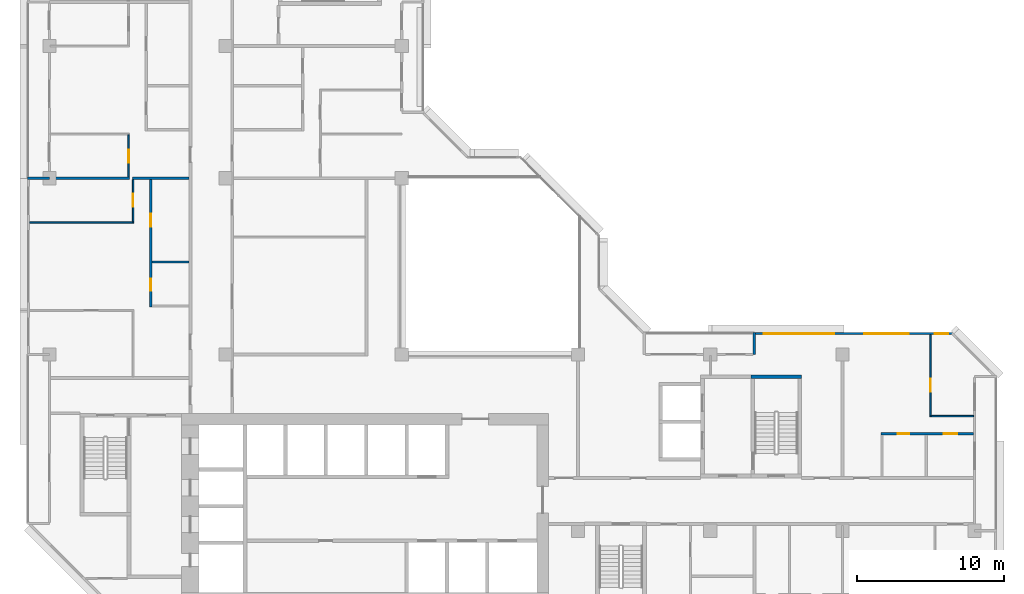
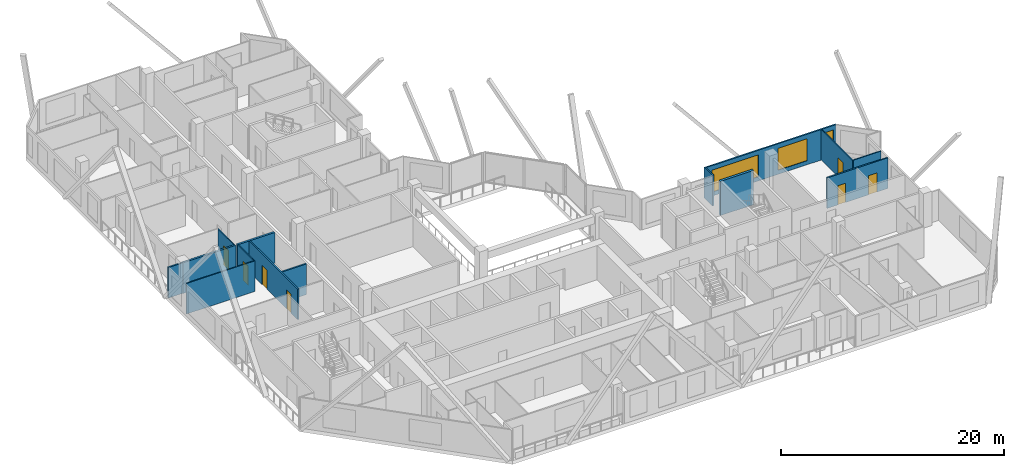
# One storey, part 8 of 15: 14 walls, 7 doors, 3 windows, 10 openings.
"""IFC4 building model written with IfcOpenShell, lengths in metres."""

import ifcopenshell
import ifcopenshell.guid

model = None  # the IFC model being written
_history = None  # IfcOwnerHistory: only IFC2X3 demands one
_inside = {}  # id of a spatial element -> (the spatial element, [elements in it])
_under = {}  # id of a project, library or spatial element -> (it, [spatial elements below it])
_declared = {}  # id of a project -> (the project, [libraries it declares])
_typed = {}  # id of a type object -> (the type object, [elements of that type])
_made_of = {}  # id of a material, layer set ... -> (it, [elements and type objects made of it])


def new_model(schema):
    """Start an empty IFC model of exactly this schema.

    Asked for "IFC4X3", IfcOpenShell would pick the latest addendum, in which some entities
    have other attributes; the version numbers below select the first issue.
    IFC2X3 requires an IfcOwnerHistory on every rooted entity: one is made here for all.
    """
    global model, _history
    if schema == "IFC4X3":
        model = ifcopenshell.file(schema_version=(4, 3, 0, 0))
    else:
        model = ifcopenshell.file(schema=schema)
    _inside.clear()
    _under.clear()
    _declared.clear()
    _typed.clear()
    _made_of.clear()
    _history = None
    if model.schema == "IFC2X3":
        org = make("IfcOrganization", Name="unknown")
        user = make(
            "IfcPersonAndOrganization",
            ThePerson=make("IfcPerson", FamilyName="unknown"),
            TheOrganization=org,
        )
        app = make(
            "IfcApplication",
            ApplicationDeveloper=org,
            Version="unknown",
            ApplicationFullName="unknown",
            ApplicationIdentifier="unknown",
        )
        _history = make(
            "IfcOwnerHistory",
            OwningUser=user,
            OwningApplication=app,
            ChangeAction="ADDED",
            CreationDate=0,
        )
    return model


def make(cls, **values):
    """One entity of the class cls with the attributes given. An attribute that is None is left unset."""
    return model.create_entity(
        cls, **{name: value for name, value in values.items() if value is not None}
    )


def rooted(cls, **values):
    """An entity with a GlobalId (a new one), such as an element, a storey or a relation."""
    return make(cls, GlobalId=ifcopenshell.guid.new(), OwnerHistory=_history, **values)


def si_unit(unit_type, name, prefix=None):
    """IfcSIUnit, for example si_unit("LENGTHUNIT", "METRE", prefix="MILLI")."""
    return make("IfcSIUnit", UnitType=unit_type, Prefix=prefix, Name=name)


def assignment(units):
    """IfcUnitAssignment: the units of a project."""
    return None if units is None else make("IfcUnitAssignment", Units=units)


def point(xyz):
    """IfcCartesianPoint."""
    return None if xyz is None else make("IfcCartesianPoint", Coordinates=xyz)


def direction(xyz):
    """IfcDirection."""
    return None if xyz is None else make("IfcDirection", DirectionRatios=xyz)


def frame(location, z_axis=None, x_axis=None):
    """IfcAxis2Placement3D, a coordinate frame: its origin and axes. An axis left out is left unset."""
    return make(
        "IfcAxis2Placement3D",
        Location=point(location),
        Axis=direction(z_axis),
        RefDirection=direction(x_axis),
    )


def frame_2d(location, x_axis=None):
    """IfcAxis2Placement2D, a coordinate frame in the plane: its origin and x axis."""
    return make(
        "IfcAxis2Placement2D", Location=point(location), RefDirection=direction(x_axis)
    )


def origin():
    """The frame at (0, 0, 0) with its axes left unset."""
    return frame((0.0, 0.0, 0.0))


def place(relative_to, where):
    """IfcLocalPlacement: puts the frame where relative to a parent placement (None: the world)."""
    return make(
        "IfcLocalPlacement", PlacementRelTo=relative_to, RelativePlacement=where
    )


def context(
    kind, dimensions, precision=None, world=None, true_north=None, identifier=None
):
    """IfcGeometricRepresentationContext, for example the 3D "Model" context."""
    return make(
        "IfcGeometricRepresentationContext",
        ContextIdentifier=identifier,
        ContextType=kind,
        CoordinateSpaceDimension=dimensions,
        Precision=precision,
        WorldCoordinateSystem=world,
        TrueNorth=true_north,
    )


def subcontext(parent, identifier, kind, view, scale=None):
    """IfcGeometricRepresentationSubContext, for example "Body" below "Model"."""
    return make(
        "IfcGeometricRepresentationSubContext",
        ContextIdentifier=identifier,
        ContextType=kind,
        ParentContext=parent,
        TargetScale=scale,
        TargetView=view,
    )


def project(units=None, contexts=None):
    """IfcProject with its units and contexts."""
    return rooted(
        "IfcProject",
        Name="project",
        RepresentationContexts=contexts,
        UnitsInContext=assignment(units),
    )


def spatial(cls, under=None, at=None, **own):
    """A site, building, storey or space (cls), placed at a placement, below another one or the project."""
    s = rooted(cls, ObjectPlacement=at, **own)
    if under is not None:
        _under.setdefault(under.id(), (under, []))[1].append(s)
    return s


def profile(cls, at=None, kind="AREA", **sizes):
    """A parametric profile (cls). Its sizes go by their IFC names, for example OverallWidth=200.0."""
    return make(cls, ProfileType=kind, Position=at, **sizes)


def rectangle(**sizes):
    """IfcRectangleProfileDef."""
    return profile("IfcRectangleProfileDef", **sizes)


def extrude(swept, where, along, depth):
    """IfcExtrudedAreaSolid: the profile swept, set in the frame where, extruded along a direction by depth."""
    return make(
        "IfcExtrudedAreaSolid",
        SweptArea=swept,
        Position=where,
        ExtrudedDirection=direction(along),
        Depth=depth,
    )


def shape(context_of_items, identifier, shape_type, items):
    """IfcShapeRepresentation: the items that make up one representation, for example the "Body"."""
    return make(
        "IfcShapeRepresentation",
        ContextOfItems=context_of_items,
        RepresentationIdentifier=identifier,
        RepresentationType=shape_type,
        Items=items,
    )


def material(Name=None, Category=None):
    """IfcMaterial."""
    return make("IfcMaterial", Name=Name, Category=Category)


def layer(
    of_material, thickness, ventilated=None, Name=None, Category=None, Priority=None
):
    """IfcMaterialLayer: one layer of a wall or slab, of a material (None: an air gap)."""
    return make(
        "IfcMaterialLayer",
        Material=of_material,
        LayerThickness=thickness,
        IsVentilated=ventilated,
        Name=Name,
        Category=Category,
        Priority=Priority,
    )


def layer_set(layers, Name=None):
    """IfcMaterialLayerSet."""
    return make("IfcMaterialLayerSet", MaterialLayers=layers, LayerSetName=Name)


def made_of(thing, what):
    """Note that an element or type object is made of a material, layer set ...; save() writes the relation."""
    if what is not None:
        _made_of.setdefault(what.id(), (what, []))[1].append(thing)
    return thing


def type_object(cls, material=None, **own):
    """A type object (cls), such as IfcWallType, which elements share."""
    return made_of(rooted(cls, **own), material)


def element(
    cls,
    number,
    at=None,
    inside=None,
    cuts=None,
    type_object=None,
    material=None,
    context=None,
    identifier="Body",
    shape_type=None,
    held_by="IfcProductDefinitionShape",
    body=None,
    shapes=None,
    **own,
):
    """One element of the class cls, such as IfcWall. Its Tag is "e" and its number.

    at: its placement. inside: the storey or other place that contains it. cuts: it is an
    opening in that element (IfcRelVoidsElement). A single representation is given by context,
    identifier, shape_type and body (its items); several are given by shapes. held_by: the class
    of the entity that holds the representations. save() writes the other relations.
    """
    e = rooted(cls, Tag="e%d" % number, ObjectPlacement=at, **own)
    if body is not None:
        shapes = [shape(context, identifier, shape_type, body)]
    if shapes is not None:
        e.Representation = make(held_by, Representations=shapes)
    if inside is not None:
        _inside.setdefault(inside.id(), (inside, []))[1].append(e)
    if cuts is not None:
        rooted(
            "IfcRelVoidsElement", RelatingBuildingElement=cuts, RelatedOpeningElement=e
        )
    if type_object is not None:
        _typed.setdefault(type_object.id(), (type_object, []))[1].append(e)
    return made_of(e, material)


def fill(opening, filler):
    """IfcRelFillsElement: the door or window that sits in an opening."""
    return rooted(
        "IfcRelFillsElement",
        RelatingOpeningElement=opening,
        RelatedBuildingElement=filler,
    )


def aggregate(whole, parts):
    """IfcRelAggregates: a whole, such as a stair, and the parts it consists of."""
    return rooted("IfcRelAggregates", RelatingObject=whole, RelatedObjects=parts)


def save(model, path):
    """Write the relations noted so far, then the file.

    IfcRelAggregates (storeys below a building ...), IfcRelContainedInSpatialStructure (elements
    in a storey), IfcRelDefinesByType, IfcRelAssociatesMaterial and IfcRelDeclares: one each for
    every whole, place, type object, material and project.
    """
    for whole, parts in _under.values():
        aggregate(whole, parts)
    for where, things in _inside.values():
        rooted(
            "IfcRelContainedInSpatialStructure",
            RelatedElements=things,
            RelatingStructure=where,
        )
    for kind, things in _typed.values():
        rooted("IfcRelDefinesByType", RelatedObjects=things, RelatingType=kind)
    for what, things in _made_of.values():
        rooted("IfcRelAssociatesMaterial", RelatedObjects=things, RelatingMaterial=what)
    for by, libraries in _declared.values():
        rooted("IfcRelDeclares", RelatingContext=by, RelatedDefinitions=libraries)
    model.write(path)


model = new_model("IFC4")

# Units and contexts
model_context = context("Model", 3, precision=1e-05, world=origin(), true_north=direction((0.0, 1.0)))
body_context = subcontext(model_context, "Body", "Model", "MODEL_VIEW")
ifc_project = project(units=[si_unit("LENGTHUNIT", "METRE"), si_unit("AREAUNIT", "SQUARE_METRE"), si_unit("VOLUMEUNIT", "CUBIC_METRE"), si_unit("PLANEANGLEUNIT", "RADIAN"), si_unit("MASSUNIT", "GRAM", prefix="KILO")], contexts=[model_context])

# Site, building, storey
site_placement = place(None, origin())
site = spatial("IfcSite", under=ifc_project, at=site_placement, CompositionType="ELEMENT")
building_placement = place(site_placement, origin())
building = spatial("IfcBuilding", under=site, at=building_placement, Name="Chenar Terraces", CompositionType="ELEMENT")
storey_placement = place(building_placement, frame((0.0, 0.0, 194.89990234375)))
storey = spatial("IfcBuildingStorey", under=building, at=storey_placement, Name="L45", CompositionType="ELEMENT", Elevation=194.89990234375)

# Wall
ifc_material_1 = material(Name="Concrete C60/75", Category="concrete")
ifc_layer_1 = layer(ifc_material_1, 0.25)
ifc_layer_set_1 = layer_set([ifc_layer_1], Name="Concrete C60/75")
wall_type_1 = type_object("IfcWallType", Name="Core wall 250 Concrete C60/75", PredefinedType="SHEAR", material=ifc_layer_set_1)
wall_1_placement = place(storey_placement, frame((47.77490234375, 22.47509765625, 0.0), z_axis=(0.0, 0.0, 1.0), x_axis=(1.0, 0.0, 0.0)))
element("IfcWall", 1, at=wall_1_placement, inside=storey, type_object=wall_type_1, Name="Core wall ST3_N L45", PredefinedType="SHEAR", context=body_context, shape_type="SweptSolid", body=[
    extrude(rectangle(XDim=3.4501953125, YDim=0.25, at=frame_2d((1.72509765625, 0.0))), origin(), (0.0, 0.0, 1.0), 3.75),
])

# Wall, openings, windows
ifc_material_2 = material(Name="Aluminium framed glazing", Category="aluminium")
ifc_layer_2 = layer(ifc_material_2, 0.14990234375)
ifc_layer_set_2 = layer_set([ifc_layer_2], Name="Aluminium framed glazing")
wall_type_2 = type_object("IfcWallType", Name="Glazed flush facade wall 150", PredefinedType="SOLIDWALL", material=ifc_layer_set_2)
wall_2_placement = place(storey_placement, frame((61.5, 25.425048828125, 0.0), z_axis=(0.0, 0.0, 1.0), x_axis=(-1.0, 0.0, 0.0)))
wall_2 = element("IfcWall", 2, at=wall_2_placement, inside=storey, type_object=wall_type_2, Name="Glazed flush facade wall", PredefinedType="SOLIDWALL", context=body_context, shape_type="SweptSolid", body=[
    extrude(rectangle(XDim=13.425048828125, YDim=0.14990234375, at=frame_2d((6.71240234375, 0.0))), origin(), (0.0, 0.0, 1.0), 3.35009765625),
])
opening_1_placement = place(wall_2_placement, frame((0.300048828125, 0.0, 0.449951171875)))
opening_1 = element("IfcOpeningElement", 3, at=opening_1_placement, cuts=wall_2, Name="Opening W90x240", PredefinedType="OPENING", context=body_context, shape_type="SweptSolid", body=[
    extrude(rectangle(XDim=0.89990234375, YDim=2.39990234375, at=frame_2d((0.449951171875, 1.199951171875))), frame((0.0, 0.0849609375, 0.0), z_axis=(0.0, -1.0, 0.0), x_axis=(1.0, 0.0, 0.0)), (0.0, 0.0, 1.0), 0.169921875),
])
opening_2_placement = place(wall_2_placement, frame((3.0, 0.0, 0.449951171875)))
opening_2 = element("IfcOpeningElement", 4, at=opening_2_placement, cuts=wall_2, Name="Opening W300x240", PredefinedType="OPENING", context=body_context, shape_type="SweptSolid", body=[
    extrude(rectangle(XDim=3.0, YDim=2.39990234375, at=frame_2d((1.5, 1.199951171875))), frame((0.0, 0.0849609375, 0.0), z_axis=(0.0, -1.0, 0.0), x_axis=(1.0, 0.0, 0.0)), (0.0, 0.0, 1.0), 0.169921875),
])
opening_3_placement = place(wall_2_placement, frame((8.0625, 0.0, 0.449951171875)))
opening_3 = element("IfcOpeningElement", 5, at=opening_3_placement, cuts=wall_2, Name="Opening W480x240", PredefinedType="OPENING", context=body_context, shape_type="SweptSolid", body=[
    extrude(rectangle(XDim=4.800048828125, YDim=2.39990234375, at=frame_2d((2.39990234375, 1.199951171875))), frame((0.0, 0.0849609375, 0.0), z_axis=(0.0, -1.0, 0.0), x_axis=(1.0, 0.0, 0.0)), (0.0, 0.0, 1.0), 0.169921875),
])
ifc_material_3 = material(Name="Low emissivity double glazing, aluminium frame", Category="aluminium")
window_type_1 = type_object("IfcWindowType", Name="Fixed light 3000 x 2400", PartitioningType="SINGLE_PANEL", PredefinedType="WINDOW", material=ifc_material_3)
window_1_placement = place(opening_2_placement, origin())
window_1 = element("IfcWindow", 6, at=window_1_placement, inside=storey, type_object=window_type_1, Name="Window", OverallHeight=2.39990234375, OverallWidth=3.0, PartitioningType="SINGLE_PANEL", PredefinedType="WINDOW", context=body_context, shape_type="SweptSolid", body=[
    extrude(rectangle(XDim=3.0, YDim=2.39990234375, at=frame_2d((1.5, 1.199951171875))), frame((0.0, 0.030029296875, 0.0), z_axis=(0.0, -1.0, 0.0), x_axis=(1.0, 0.0, 0.0)), (0.0, 0.0, 1.0), 0.06005859375),
])
fill(opening_2, window_1)
ifc_material_4 = material(Name="Low emissivity double glazing, aluminium frame", Category="aluminium")
window_type_2 = type_object("IfcWindowType", Name="Fixed light 4800 x 2400", PartitioningType="SINGLE_PANEL", PredefinedType="WINDOW", material=ifc_material_4)
window_2_placement = place(opening_3_placement, origin())
window_2 = element("IfcWindow", 7, at=window_2_placement, inside=storey, type_object=window_type_2, Name="Window", OverallHeight=2.39990234375, OverallWidth=4.800048828125, PartitioningType="SINGLE_PANEL", PredefinedType="WINDOW", context=body_context, shape_type="SweptSolid", body=[
    extrude(rectangle(XDim=4.800048828125, YDim=2.39990234375, at=frame_2d((2.39990234375, 1.199951171875))), frame((0.0, 0.030029296875, 0.0), z_axis=(0.0, -1.0, 0.0), x_axis=(1.0, 0.0, 0.0)), (0.0, 0.0, 1.0), 0.06005859375),
])
fill(opening_3, window_2)
ifc_material_5 = material(Name="Low emissivity double glazing, aluminium frame", Category="aluminium")
window_type_3 = type_object("IfcWindowType", Name="Fixed light 900 x 2400", PartitioningType="SINGLE_PANEL", PredefinedType="WINDOW", material=ifc_material_5)
window_3_placement = place(opening_1_placement, origin())
window_3 = element("IfcWindow", 8, at=window_3_placement, inside=storey, type_object=window_type_3, Name="Window", OverallHeight=2.39990234375, OverallWidth=0.89990234375, PartitioningType="SINGLE_PANEL", PredefinedType="WINDOW", context=body_context, shape_type="SweptSolid", body=[
    extrude(rectangle(XDim=0.89990234375, YDim=2.39990234375, at=frame_2d((0.449951171875, 1.199951171875))), frame((0.0, 0.030029296875, 0.0), z_axis=(0.0, -1.0, 0.0), x_axis=(1.0, 0.0, 0.0)), (0.0, 0.0, 1.0), 0.06005859375),
])
fill(opening_1, window_3)

# Wall
ifc_material_6 = material(Name="Gypsum board on steel studs", Category="steel")
ifc_layer_3 = layer(ifc_material_6, 0.10009765625)
ifc_layer_set_3 = layer_set([ifc_layer_3], Name="Gypsum board on steel studs")
wall_type_3 = type_object("IfcWallType", Name="Gypsum partition 100", PredefinedType="PARTITIONING", material=ifc_layer_set_3)
wall_3_placement = place(storey_placement, frame((-1.35009765625, 33.0, 0.0), z_axis=(0.0, 0.0, 1.0), x_axis=(1.0, 0.0, 0.0)))
element("IfcWall", 9, at=wall_3_placement, inside=storey, type_object=wall_type_3, Name="Partition L45-003", PredefinedType="PARTITIONING", context=body_context, shape_type="SweptSolid", body=[
    extrude(rectangle(XDim=7.10009765625, YDim=0.10009765625, at=frame_2d((3.550048828125, 0.0))), origin(), (0.0, 0.0, 1.0), 3.35009765625),
])

# Wall, opening, door
wall_4_placement = place(storey_placement, frame((5.39990234375, 36.10009765625, 0.0), z_axis=(0.0, 0.0, 1.0), x_axis=(0.0, 1.0, 0.0)))
wall_4 = element("IfcWall", 10, at=wall_4_placement, inside=storey, type_object=wall_type_3, Name="Partition L45-013", PredefinedType="PARTITIONING", context=body_context, shape_type="SweptSolid", body=[
    extrude(rectangle(XDim=2.849853515625, YDim=0.10009765625, at=frame_2d((1.4248046875, 0.0))), origin(), (0.0, 0.0, 1.0), 3.35009765625),
])
opening_4_placement = place(wall_4_placement, frame((0.949951171875, 0.0, 0.0)))
opening_4 = element("IfcOpeningElement", 11, at=opening_4_placement, cuts=wall_4, Name="Opening DL45-26", PredefinedType="OPENING", context=body_context, shape_type="SweptSolid", body=[
    extrude(rectangle(XDim=0.89990234375, YDim=2.10009765625, at=frame_2d((0.449951171875, 1.050048828125))), frame((0.0, 0.06005859375, 0.0), z_axis=(0.0, -1.0, 0.0), x_axis=(1.0, 0.0, 0.0)), (0.0, 0.0, 1.0), 0.1201171875),
])
ifc_material_7 = material(Name="Veneered timber door leaf", Category="wood")
door_type_1 = type_object("IfcDoorType", Name="Door 900 x 2100", OperationType="SINGLE_SWING_LEFT", PredefinedType="DOOR", material=ifc_material_7)
door_1_placement = place(opening_4_placement, origin())
door_1 = element("IfcDoor", 12, at=door_1_placement, inside=storey, type_object=door_type_1, Name="Door DL45-26", OperationType="SINGLE_SWING_RIGHT", OverallHeight=2.10009765625, OverallWidth=0.89990234375, PredefinedType="DOOR", context=body_context, shape_type="SweptSolid", body=[
    extrude(rectangle(XDim=0.89990234375, YDim=2.10009765625, at=frame_2d((0.449951171875, 1.050048828125))), frame((0.0, 0.02490234375, 0.0), z_axis=(0.0, -1.0, 0.0), x_axis=(1.0, 0.0, 0.0)), (0.0, 0.0, 1.0), 0.050048828125),
])
fill(opening_4, door_1)

wall_5_placement = place(storey_placement, frame((5.699951171875, 33.050048828125, 0.0), z_axis=(0.0, 0.0, 1.0), x_axis=(0.0, 1.0, 0.0)))
wall_5 = element("IfcWall", 13, at=wall_5_placement, inside=storey, type_object=wall_type_3, Name="Partition L45-020", PredefinedType="PARTITIONING", context=body_context, shape_type="SweptSolid", body=[
    extrude(rectangle(XDim=2.849853515625, YDim=0.10009765625, at=frame_2d((1.4248046875, 0.0))), origin(), (0.0, 0.0, 1.0), 3.35009765625),
])
opening_5_placement = place(wall_5_placement, frame((1.0, 0.0, 0.0)))
opening_5 = element("IfcOpeningElement", 14, at=opening_5_placement, cuts=wall_5, Name="Opening DL45-58", PredefinedType="OPENING", context=body_context, shape_type="SweptSolid", body=[
    extrude(rectangle(XDim=0.89990234375, YDim=2.10009765625, at=frame_2d((0.449951171875, 1.050048828125))), frame((0.0, 0.06005859375, 0.0), z_axis=(0.0, -1.0, 0.0), x_axis=(1.0, 0.0, 0.0)), (0.0, 0.0, 1.0), 0.1201171875),
])
door_2_placement = place(opening_5_placement, origin())
door_2 = element("IfcDoor", 15, at=door_2_placement, inside=storey, type_object=door_type_1, Name="Door DL45-58", OperationType="SINGLE_SWING_LEFT", OverallHeight=2.10009765625, OverallWidth=0.89990234375, PredefinedType="DOOR", context=body_context, shape_type="SweptSolid", body=[
    extrude(rectangle(XDim=0.89990234375, YDim=2.10009765625, at=frame_2d((0.449951171875, 1.050048828125))), frame((0.0, 0.02490234375, 0.0), z_axis=(0.0, -1.0, 0.0), x_axis=(1.0, 0.0, 0.0)), (0.0, 0.0, 1.0), 0.050048828125),
])
fill(opening_5, door_2)

wall_6_placement = place(storey_placement, frame((60.0, 19.75, 0.0), z_axis=(0.0, 0.0, 1.0), x_axis=(0.0, 1.0, 0.0)))
wall_6 = element("IfcWall", 16, at=wall_6_placement, inside=storey, type_object=wall_type_3, Name="Partition L45-087", PredefinedType="PARTITIONING", context=body_context, shape_type="SweptSolid", body=[
    extrude(rectangle(XDim=5.60009765625, YDim=0.10009765625, at=frame_2d((2.800048828125, 0.0))), origin(), (0.0, 0.0, 1.0), 3.35009765625),
])
opening_6_placement = place(wall_6_placement, frame((1.699951171875, 0.0, 0.0)))
opening_6 = element("IfcOpeningElement", 17, at=opening_6_placement, cuts=wall_6, Name="Opening DL45-5", PredefinedType="OPENING", context=body_context, shape_type="SweptSolid", body=[
    extrude(rectangle(XDim=0.89990234375, YDim=2.10009765625, at=frame_2d((0.449951171875, 1.050048828125))), frame((0.0, 0.06005859375, 0.0), z_axis=(0.0, -1.0, 0.0), x_axis=(1.0, 0.0, 0.0)), (0.0, 0.0, 1.0), 0.1201171875),
])
door_3_placement = place(opening_6_placement, frame((0.89990234375, 0.0, 0.0), z_axis=(0.0, 0.0, 1.0), x_axis=(-1.0, 0.0, 0.0)))
door_3 = element("IfcDoor", 18, at=door_3_placement, inside=storey, type_object=door_type_1, Name="Door DL45-5", OperationType="SINGLE_SWING_RIGHT", OverallHeight=2.10009765625, OverallWidth=0.89990234375, PredefinedType="DOOR", context=body_context, shape_type="SweptSolid", body=[
    extrude(rectangle(XDim=0.89990234375, YDim=2.10009765625, at=frame_2d((0.449951171875, 1.050048828125))), frame((0.0, 0.02490234375, 0.0), z_axis=(0.0, -1.0, 0.0), x_axis=(1.0, 0.0, 0.0)), (0.0, 0.0, 1.0), 0.050048828125),
])
fill(opening_6, door_3)

# Walls
wall_7_placement = place(storey_placement, frame((60.050048828125, 19.800048828125, 0.0), z_axis=(0.0, 0.0, 1.0), x_axis=(1.0, 0.0, 0.0)))
element("IfcWall", 19, at=wall_7_placement, inside=storey, type_object=wall_type_3, Name="Partition L45-088", PredefinedType="PARTITIONING", context=body_context, shape_type="SweptSolid", body=[
    extrude(rectangle(XDim=2.8759765625, YDim=0.10009765625, at=frame_2d((1.43798828125, 0.0))), origin(), (0.0, 0.0, 1.0), 3.35009765625),
])
ifc_material_8 = material(Name="Terracotta cladding on insulated backing", Category="masonry")
ifc_layer_4 = layer(ifc_material_8, 0.14990234375)
ifc_layer_set_4 = layer_set([ifc_layer_4], Name="Terracotta cladding on insulated backing")
wall_type_4 = type_object("IfcWallType", Name="Loggia return wall 150", PredefinedType="SOLIDWALL", material=ifc_layer_set_4)
for number, where, z_axis, x_axis, name in (
    (20, (48.0, 25.5, 0.0), (0.0, 0.0, 1.0), (0.0, -1.0, 0.0), "Loggia return wall"),
    (21, (-1.5, 36.0, 0.0), (0.0, 0.0, 1.0), (1.0, 0.0, 0.0), "Loggia return wall"),
):
    element("IfcWall", number, at=place(storey_placement, frame(where, z_axis=z_axis, x_axis=x_axis)), inside=storey, type_object=wall_type_4, Name=name, PredefinedType="SOLIDWALL", context=body_context, shape_type="SweptSolid", body=[
        extrude(rectangle(XDim=1.5, YDim=0.14990234375, at=frame_2d((0.75, 0.0))), origin(), (0.0, 0.0, 1.0), 3.35009765625),
    ])
ifc_material_9 = material(Name="Twin gypsum board on steel studs with mineral wool", Category="steel")
ifc_layer_5 = layer(ifc_material_9, 0.199951171875)
ifc_layer_set_5 = layer_set([ifc_layer_5], Name="Twin gypsum board on steel studs with mineral wool")
wall_type_5 = type_object("IfcWallType", Name="Unit demising wall 200", PredefinedType="PARTITIONING", material=ifc_layer_set_5)
wall_8_placement = place(storey_placement, frame((0.0, 36.0, 0.0), z_axis=(0.0, 0.0, 1.0), x_axis=(1.0, 0.0, 0.0)))
element("IfcWall", 22, at=wall_8_placement, inside=storey, type_object=wall_type_5, Name="Partition L45-004", PredefinedType="PARTITIONING", context=body_context, shape_type="SweptSolid", body=[
    extrude(rectangle(XDim=5.449951171875, YDim=0.199951171875, at=frame_2d((2.72509765625, 0.0))), origin(), (0.0, 0.0, 1.0), 3.35009765625),
])
wall_9_placement = place(storey_placement, frame((5.64990234375, 36.0, 0.0), z_axis=(0.0, 0.0, 1.0), x_axis=(1.0, 0.0, 0.0)))
element("IfcWall", 23, at=wall_9_placement, inside=storey, type_object=wall_type_5, Name="Partition L45-018", PredefinedType="PARTITIONING", context=body_context, shape_type="SweptSolid", body=[
    extrude(rectangle(XDim=3.85009765625, YDim=0.199951171875, at=frame_2d((1.925048828125, 0.0))), origin(), (0.0, 0.0, 1.0), 3.35009765625),
])

# Wall, openings, doors
ifc_material_10 = material(Name="Moisture-resistant gypsum board on steel studs", Category="steel")
ifc_layer_6 = layer(ifc_material_10, 0.14990234375)
ifc_layer_set_6 = layer_set([ifc_layer_6], Name="Moisture-resistant gypsum board on steel studs")
wall_type_6 = type_object("IfcWallType", Name="Wet-room partition 150", PredefinedType="PARTITIONING", material=ifc_layer_set_6)
wall_10_placement = place(storey_placement, frame((6.89990234375, 27.22509765625, 0.0), z_axis=(0.0, 0.0, 1.0), x_axis=(0.0, 1.0, 0.0)))
wall_10 = element("IfcWall", 24, at=wall_10_placement, inside=storey, type_object=wall_type_6, Name="Partition L45-028", PredefinedType="PARTITIONING", context=body_context, shape_type="SweptSolid", body=[
    extrude(rectangle(XDim=8.6748046875, YDim=0.14990234375, at=frame_2d((4.33740234375, 0.0))), origin(), (0.0, 0.0, 1.0), 3.35009765625),
])
opening_7_placement = place(wall_10_placement, frame((1.125, 0.0, 0.0)))
opening_7 = element("IfcOpeningElement", 25, at=opening_7_placement, cuts=wall_10, Name="Opening DL45-56", PredefinedType="OPENING", context=body_context, shape_type="SweptSolid", body=[
    extrude(rectangle(XDim=0.800048828125, YDim=2.10009765625, at=frame_2d((0.39990234375, 1.050048828125))), frame((0.0, 0.0849609375, 0.0), z_axis=(0.0, -1.0, 0.0), x_axis=(1.0, 0.0, 0.0)), (0.0, 0.0, 1.0), 0.169921875),
])
opening_8_placement = place(wall_10_placement, frame((5.47509765625, 0.0, 0.0)))
opening_8 = element("IfcOpeningElement", 26, at=opening_8_placement, cuts=wall_10, Name="Opening DL45-59", PredefinedType="OPENING", context=body_context, shape_type="SweptSolid", body=[
    extrude(rectangle(XDim=0.89990234375, YDim=2.10009765625, at=frame_2d((0.449951171875, 1.050048828125))), frame((0.0, 0.0849609375, 0.0), z_axis=(0.0, -1.0, 0.0), x_axis=(1.0, 0.0, 0.0)), (0.0, 0.0, 1.0), 0.169921875),
])
ifc_material_11 = material(Name="Veneered timber door leaf", Category="wood")
door_type_2 = type_object("IfcDoorType", Name="Door 800 x 2100", OperationType="SINGLE_SWING_LEFT", PredefinedType="DOOR", material=ifc_material_11)
door_4_placement = place(opening_7_placement, frame((0.800048828125, 0.0, 0.0), z_axis=(0.0, 0.0, 1.0), x_axis=(-1.0, 0.0, 0.0)))
door_4 = element("IfcDoor", 27, at=door_4_placement, inside=storey, type_object=door_type_2, Name="Door DL45-56", OperationType="SINGLE_SWING_RIGHT", OverallHeight=2.10009765625, OverallWidth=0.800048828125, PredefinedType="DOOR", context=body_context, shape_type="SweptSolid", body=[
    extrude(rectangle(XDim=0.800048828125, YDim=2.10009765625, at=frame_2d((0.39990234375, 1.050048828125))), frame((0.0, 0.02490234375, 0.0), z_axis=(0.0, -1.0, 0.0), x_axis=(1.0, 0.0, 0.0)), (0.0, 0.0, 1.0), 0.050048828125),
])
fill(opening_7, door_4)
door_5_placement = place(opening_8_placement, frame((0.89990234375, 0.0, 0.0), z_axis=(0.0, 0.0, 1.0), x_axis=(-1.0, 0.0, 0.0)))
door_5 = element("IfcDoor", 28, at=door_5_placement, inside=storey, type_object=door_type_1, Name="Door DL45-59", OperationType="SINGLE_SWING_RIGHT", OverallHeight=2.10009765625, OverallWidth=0.89990234375, PredefinedType="DOOR", context=body_context, shape_type="SweptSolid", body=[
    extrude(rectangle(XDim=0.89990234375, YDim=2.10009765625, at=frame_2d((0.449951171875, 1.050048828125))), frame((0.0, 0.02490234375, 0.0), z_axis=(0.0, -1.0, 0.0), x_axis=(1.0, 0.0, 0.0)), (0.0, 0.0, 1.0), 0.050048828125),
])
fill(opening_8, door_5)

# Wall
wall_11_placement = place(storey_placement, frame((6.97509765625, 30.300048828125, 0.0), z_axis=(0.0, 0.0, 1.0), x_axis=(1.0, 0.0, 0.0)))
element("IfcWall", 29, at=wall_11_placement, inside=storey, type_object=wall_type_6, Name="Partition L45-030", PredefinedType="PARTITIONING", context=body_context, shape_type="SweptSolid", body=[
    extrude(rectangle(XDim=2.52490234375, YDim=0.14990234375, at=frame_2d((1.262451171875, 0.0))), origin(), (0.0, 0.0, 1.0), 3.35009765625),
])

# Wall, openings, doors
wall_12_placement = place(storey_placement, frame((56.625, 18.60009765625, 0.0), z_axis=(0.0, 0.0, 1.0), x_axis=(1.0, 0.0, 0.0)))
wall_12 = element("IfcWall", 30, at=wall_12_placement, inside=storey, type_object=wall_type_6, Name="Partition L45-083", PredefinedType="PARTITIONING", context=body_context, shape_type="SweptSolid", body=[
    extrude(rectangle(XDim=6.301025390625, YDim=0.14990234375, at=frame_2d((3.150390625, 0.0))), origin(), (0.0, 0.0, 1.0), 3.35009765625),
])
opening_9_placement = place(wall_12_placement, frame((1.125, 0.0, 0.0)))
opening_9 = element("IfcOpeningElement", 31, at=opening_9_placement, cuts=wall_12, Name="Opening DL45-4", PredefinedType="OPENING", context=body_context, shape_type="SweptSolid", body=[
    extrude(rectangle(XDim=0.800048828125, YDim=2.10009765625, at=frame_2d((0.39990234375, 1.050048828125))), frame((0.0, 0.0849609375, 0.0), z_axis=(0.0, -1.0, 0.0), x_axis=(1.0, 0.0, 0.0)), (0.0, 0.0, 1.0), 0.169921875),
])
opening_10_placement = place(wall_12_placement, frame((4.27490234375, 0.0, 0.0)))
opening_10 = element("IfcOpeningElement", 32, at=opening_10_placement, cuts=wall_12, Name="Opening DL45-6", PredefinedType="OPENING", context=body_context, shape_type="SweptSolid", body=[
    extrude(rectangle(XDim=0.89990234375, YDim=2.10009765625, at=frame_2d((0.449951171875, 1.050048828125))), frame((0.0, 0.0849609375, 0.0), z_axis=(0.0, -1.0, 0.0), x_axis=(1.0, 0.0, 0.0)), (0.0, 0.0, 1.0), 0.169921875),
])
door_6_placement = place(opening_9_placement, frame((0.800048828125, 0.0, 0.0), z_axis=(0.0, 0.0, 1.0), x_axis=(-1.0, 0.0, 0.0)))
door_6 = element("IfcDoor", 33, at=door_6_placement, inside=storey, type_object=door_type_2, Name="Door DL45-4", OperationType="SINGLE_SWING_RIGHT", OverallHeight=2.10009765625, OverallWidth=0.800048828125, PredefinedType="DOOR", context=body_context, shape_type="SweptSolid", body=[
    extrude(rectangle(XDim=0.800048828125, YDim=2.10009765625, at=frame_2d((0.39990234375, 1.050048828125))), frame((0.0, 0.02490234375, 0.0), z_axis=(0.0, -1.0, 0.0), x_axis=(1.0, 0.0, 0.0)), (0.0, 0.0, 1.0), 0.050048828125),
])
fill(opening_9, door_6)
door_7_placement = place(opening_10_placement, frame((0.89990234375, 0.0, 0.0), z_axis=(0.0, 0.0, 1.0), x_axis=(-1.0, 0.0, 0.0)))
door_7 = element("IfcDoor", 34, at=door_7_placement, inside=storey, type_object=door_type_1, Name="Door DL45-6", OperationType="SINGLE_SWING_RIGHT", OverallHeight=2.10009765625, OverallWidth=0.89990234375, PredefinedType="DOOR", context=body_context, shape_type="SweptSolid", body=[
    extrude(rectangle(XDim=0.89990234375, YDim=2.10009765625, at=frame_2d((0.449951171875, 1.050048828125))), frame((0.0, 0.02490234375, 0.0), z_axis=(0.0, -1.0, 0.0), x_axis=(1.0, 0.0, 0.0)), (0.0, 0.0, 1.0), 0.050048828125),
])
fill(opening_10, door_7)

save(model, "model.ifc")
